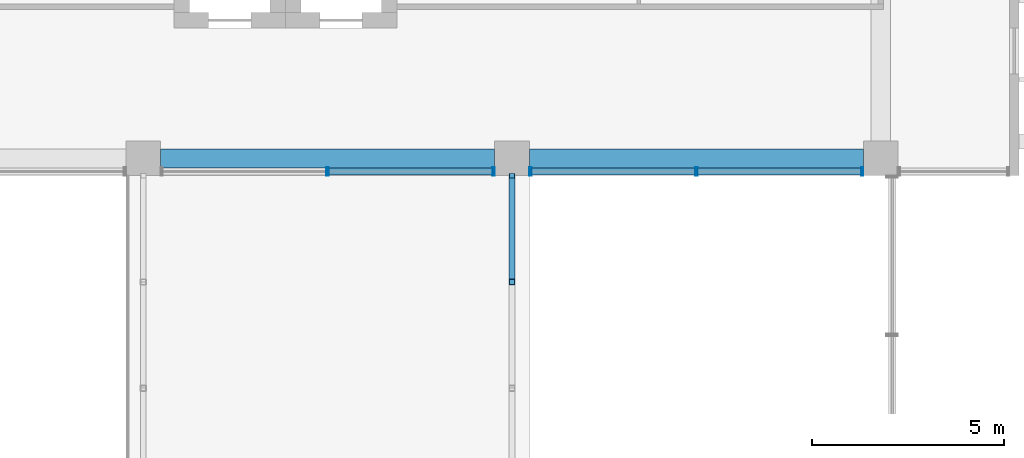
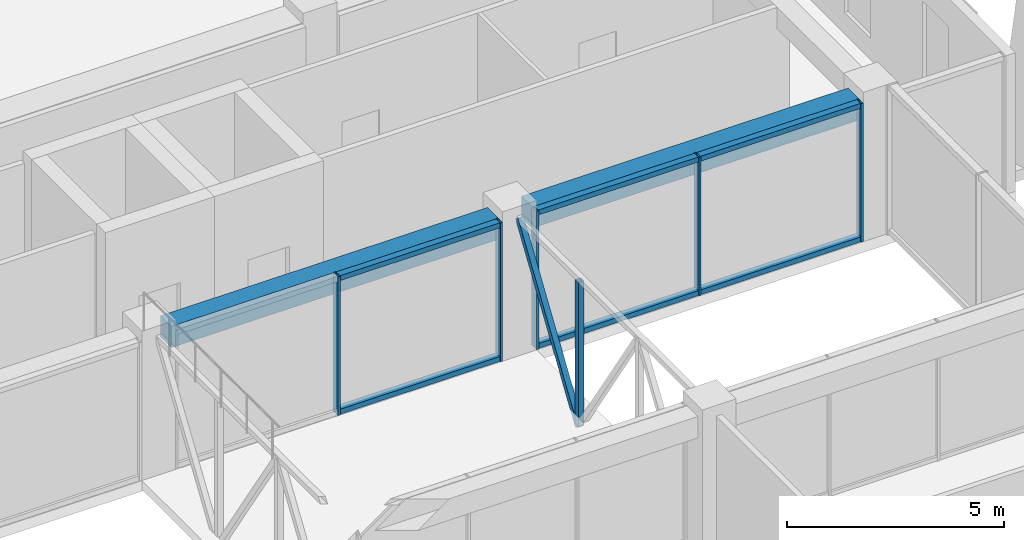
# One storey, part 19 of 38: 13 members, 2 beams, 2 elements without a shape of their own.
"""IFC4 building model written with IfcOpenShell, lengths in metres."""

from ifc_helpers import new_model, si_unit, direction, frame, origin, origin_2d, place, context, subcontext, project, spatial, rectangle, hollow_rectangle, extrude, material, layer, layer_set, material_profile, profile_set, type_object, element, aggregate, save


model = new_model("IFC4")

# Units and contexts
model_context = context("Model", 3, precision=1e-05, world=origin(), true_north=direction((0.0, 1.0)))
body_context = subcontext(model_context, "Body", "Model", "MODEL_VIEW")
ifc_project = project(units=[si_unit("LENGTHUNIT", "METRE"), si_unit("AREAUNIT", "SQUARE_METRE"), si_unit("VOLUMEUNIT", "CUBIC_METRE"), si_unit("PLANEANGLEUNIT", "RADIAN"), si_unit("MASSUNIT", "GRAM", prefix="KILO")], contexts=[model_context])

# Site, building, storey
site_placement = place(None, origin())
site = spatial("IfcSite", under=ifc_project, at=site_placement, CompositionType="ELEMENT")
building_placement = place(site_placement, origin())
building = spatial("IfcBuilding", under=site, at=building_placement, Name="Nzadi Deep Aquarium and Research Tower", CompositionType="ELEMENT")
storey_placement = place(building_placement, frame((0.0, 0.0, 65.5)))
storey = spatial("IfcBuildingStorey", under=building, at=storey_placement, Name="L13", CompositionType="ELEMENT", Elevation=65.5)

# Curtain wall, members
ifc_material_1 = material(Name="Aluminium unitised frame deep", Category="aluminium")
ifc_layer = layer(ifc_material_1, 0.22509765625)
ifc_layer_set = layer_set([ifc_layer], Name="Aluminium unitised frame deep")
curtain_wall_type = type_object("IfcCurtainWallType", Name="Curtain wall Unitised Deep 225", PredefinedType="NOTDEFINED", material=ifc_layer_set)
curtain_wall_1_placement = place(storey_placement, origin())
curtain_wall_1 = element("IfcCurtainWall", 1, at=curtain_wall_1_placement, inside=storey, type_object=curtain_wall_type, Name="Unitised curtain wall blade B south L13", PredefinedType="NOTDEFINED")
ifc_material_2 = material(Name="Aluminium unitised frame deep", Category="aluminium")
ifc_material_profile_1 = material_profile(ifc_material_2, hollow_rectangle(XDim=0.22509765625, YDim=0.06005859375, WallThickness=0.0048828125, at=origin_2d()))
ifc_profile_set_1 = profile_set([ifc_material_profile_1], Name="Aluminium unitised frame deep")
member_type_1 = type_object("IfcMemberType", Name="Mullion 60x225 Unitised Deep", PredefinedType="MULLION", material=ifc_profile_set_1)
member_1_placement = place(storey_placement, frame((33.60009765625, 27.262451171875, 0.0), z_axis=(0.0, 0.0, 1.0), x_axis=(0.0, 1.0, 0.0)))
member_1 = element("IfcMember", 2, at=member_1_placement, type_object=member_type_1, Name="CW167 mullion 2", PredefinedType="MULLION", context=body_context, shape_type="SweptSolid", body=[
    extrude(hollow_rectangle(XDim=0.22509765625, YDim=0.06005859375, WallThickness=0.0048828125, at=origin_2d()), origin(), (0.0, 0.0, 1.0), 3.89990234375),
])
member_2_placement = place(storey_placement, frame((37.919921875, 27.262451171875, 0.0), z_axis=(0.0, 0.0, 1.0), x_axis=(0.0, 1.0, 0.0)))
member_2 = element("IfcMember", 3, at=member_2_placement, type_object=member_type_1, Name="CW167 mullion 3", PredefinedType="MULLION", context=body_context, shape_type="SweptSolid", body=[
    extrude(hollow_rectangle(XDim=0.22509765625, YDim=0.06005859375, WallThickness=0.0048828125, at=origin_2d()), origin(), (0.0, 0.0, 1.0), 3.89990234375),
])

curtain_wall_2_placement = place(storey_placement, origin())
curtain_wall_2 = element("IfcCurtainWall", 4, at=curtain_wall_2_placement, inside=storey, type_object=curtain_wall_type, Name="Unitised curtain wall blade B south L13", PredefinedType="NOTDEFINED")
member_3_placement = place(storey_placement, frame((38.8798828125, 27.262451171875, 0.0), z_axis=(0.0, 0.0, 1.0), x_axis=(0.0, 1.0, 0.0)))
member_3 = element("IfcMember", 5, at=member_3_placement, type_object=member_type_1, Name="CW168 mullion 1", PredefinedType="MULLION", context=body_context, shape_type="SweptSolid", body=[
    extrude(hollow_rectangle(XDim=0.22509765625, YDim=0.06005859375, WallThickness=0.0048828125, at=origin_2d()), origin(), (0.0, 0.0, 1.0), 3.89990234375),
])
member_4_placement = place(storey_placement, frame((43.199951171875, 27.262451171875, 0.0), z_axis=(0.0, 0.0, 1.0), x_axis=(0.0, 1.0, 0.0)))
member_4 = element("IfcMember", 6, at=member_4_placement, type_object=member_type_1, Name="CW168 mullion 2", PredefinedType="MULLION", context=body_context, shape_type="SweptSolid", body=[
    extrude(hollow_rectangle(XDim=0.22509765625, YDim=0.06005859375, WallThickness=0.0048828125, at=origin_2d()), origin(), (0.0, 0.0, 1.0), 3.89990234375),
])
member_5_placement = place(storey_placement, frame((47.52001953125, 27.262451171875, 0.0), z_axis=(0.0, 0.0, 1.0), x_axis=(0.0, 1.0, 0.0)))
member_5 = element("IfcMember", 7, at=member_5_placement, type_object=member_type_1, Name="CW168 mullion 3", PredefinedType="MULLION", context=body_context, shape_type="SweptSolid", body=[
    extrude(hollow_rectangle(XDim=0.22509765625, YDim=0.06005859375, WallThickness=0.0048828125, at=origin_2d()), origin(), (0.0, 0.0, 1.0), 3.89990234375),
])

# Beams
ifc_material_3 = material(Name="Concrete C35/45", Category="concrete")
ifc_material_profile_2 = material_profile(ifc_material_3, rectangle(XDim=0.5, YDim=0.60009765625, at=origin_2d()))
ifc_profile_set_2 = profile_set([ifc_material_profile_2], Name="Concrete C35/45")
beam_type = type_object("IfcBeamType", Name="RC 500x600", PredefinedType="BEAM", material=ifc_profile_set_2)
for number, where, z_axis, x_axis, name in (
    (8, (29.25, 27.60009765625, 3.60009765625), (1.0, 0.0, 0.0), (0.0, 1.0, 0.0), "B-Z1-L13-L4-4"),
    (9, (38.85009765625, 27.60009765625, 3.60009765625), (1.0, 0.0, 0.0), (0.0, 1.0, 0.0), "B-Z1-L13-L4-5"),
):
    element("IfcBeam", number, at=place(storey_placement, frame(where, z_axis=z_axis, x_axis=x_axis)), inside=storey, type_object=beam_type, Name=name, PredefinedType="BEAM", context=body_context, shape_type="SweptSolid", body=[
        extrude(rectangle(XDim=0.5, YDim=0.60009765625, at=origin_2d()), origin(), (0.0, 0.0, 1.0), 8.699951171875),
    ])

# Members
ifc_material_4 = material(Name="Steel S355", Category="steel")
ifc_material_profile_3 = material_profile(ifc_material_4, hollow_rectangle(XDim=0.14990234375, YDim=0.14990234375, WallThickness=0.010009765625, at=origin_2d()))
ifc_profile_set_3 = profile_set([ifc_material_profile_3], Name="Steel S355")
member_type_2 = type_object("IfcMemberType", Name="RHS 150x150x10 brace", PredefinedType="BRACE", material=ifc_profile_set_3)
member_6_placement = place(storey_placement, frame((38.39990234375, 24.38330078125, -0.324951171875), z_axis=(0.0, 0.550098751185, 0.835099613187), x_axis=(-1.0, 0.0, 0.0)))
element("IfcMember", 10, at=member_6_placement, inside=storey, type_object=member_type_2, Name="MB-BR-L13-T2-D3", PredefinedType="BRACE", context=body_context, shape_type="SweptSolid", body=[
    extrude(hollow_rectangle(XDim=0.14990234375, YDim=0.14990234375, WallThickness=0.010009765625, at=origin_2d()), origin(), (0.0, 0.0, 1.0), 5.029296875),
])
ifc_material_5 = material(Name="Steel S355", Category="steel")
ifc_material_profile_4 = material_profile(ifc_material_5, hollow_rectangle(XDim=0.14990234375, YDim=0.14990234375, WallThickness=0.008056640625, at=origin_2d()))
ifc_profile_set_4 = profile_set([ifc_material_profile_4], Name="Steel S355")
member_type_3 = type_object("IfcMemberType", Name="RHS 150x150x8 post", PredefinedType="POST", material=ifc_profile_set_4)
member_7_placement = place(storey_placement, frame((38.39990234375, 24.38330078125, -0.25), z_axis=(0.0, 0.0, 1.0), x_axis=(1.0, 0.0, 0.0)))
element("IfcMember", 11, at=member_7_placement, inside=storey, type_object=member_type_3, Name="MB-BR-L13-T2-V2", PredefinedType="POST", context=body_context, shape_type="SweptSolid", body=[
    extrude(hollow_rectangle(XDim=0.14990234375, YDim=0.14990234375, WallThickness=0.008056640625, at=origin_2d()), origin(), (0.0, 0.0, 1.0), 4.050048828125),
])

# Member
ifc_material_6 = material(Name="Aluminium unitised frame deep", Category="aluminium")
ifc_material_profile_5 = material_profile(ifc_material_6, hollow_rectangle(XDim=0.179931640625, YDim=0.139892578125, WallThickness=0.0048828125, at=origin_2d()))
ifc_profile_set_5 = profile_set([ifc_material_profile_5], Name="Aluminium unitised frame deep")
member_type_4 = type_object("IfcMemberType", Name="Transom 140x180 Unitised Deep", PredefinedType="MULLION", material=ifc_profile_set_5)
member_8_placement = place(storey_placement, frame((33.6298828125, 27.262451171875, 0.070068359375), z_axis=(1.0, 0.0, 0.0), x_axis=(0.0, 1.0, 0.0)))
member_8 = element("IfcMember", 12, at=member_8_placement, type_object=member_type_4, Name="CW167 transom 2.1", PredefinedType="MULLION", context=body_context, shape_type="SweptSolid", body=[
    extrude(hollow_rectangle(XDim=0.179931640625, YDim=0.139892578125, WallThickness=0.0048828125, at=origin_2d()), origin(), (0.0, 0.0, 1.0), 4.260009765625),
])

member_9_placement = place(storey_placement, frame((33.6298828125, 27.262451171875, 3.830078125), z_axis=(1.0, 0.0, 0.0), x_axis=(0.0, 1.0, 0.0)))
member_9 = element("IfcMember", 13, at=member_9_placement, type_object=member_type_4, Name="CW167 transom 2.2", PredefinedType="MULLION", context=body_context, shape_type="SweptSolid", body=[
    extrude(hollow_rectangle(XDim=0.179931640625, YDim=0.139892578125, WallThickness=0.0048828125, at=origin_2d()), origin(), (0.0, 0.0, 1.0), 4.260009765625),
])

aggregate(curtain_wall_1, [member_1, member_2, member_8, member_9])

member_10_placement = place(storey_placement, frame((38.909912109375, 27.262451171875, 0.070068359375), z_axis=(1.0, 0.0, 0.0), x_axis=(0.0, 1.0, 0.0)))
member_10 = element("IfcMember", 14, at=member_10_placement, type_object=member_type_4, Name="CW168 transom 1.1", PredefinedType="MULLION", context=body_context, shape_type="SweptSolid", body=[
    extrude(hollow_rectangle(XDim=0.179931640625, YDim=0.139892578125, WallThickness=0.0048828125, at=origin_2d()), origin(), (0.0, 0.0, 1.0), 4.260009765625),
])

member_11_placement = place(storey_placement, frame((38.909912109375, 27.262451171875, 3.830078125), z_axis=(1.0, 0.0, 0.0), x_axis=(0.0, 1.0, 0.0)))
member_11 = element("IfcMember", 15, at=member_11_placement, type_object=member_type_4, Name="CW168 transom 1.2", PredefinedType="MULLION", context=body_context, shape_type="SweptSolid", body=[
    extrude(hollow_rectangle(XDim=0.179931640625, YDim=0.139892578125, WallThickness=0.0048828125, at=origin_2d()), origin(), (0.0, 0.0, 1.0), 4.260009765625),
])

member_12_placement = place(storey_placement, frame((43.22998046875, 27.262451171875, 0.070068359375), z_axis=(1.0, 0.0, 0.0), x_axis=(0.0, 1.0, 0.0)))
member_12 = element("IfcMember", 16, at=member_12_placement, type_object=member_type_4, Name="CW168 transom 2.1", PredefinedType="MULLION", context=body_context, shape_type="SweptSolid", body=[
    extrude(hollow_rectangle(XDim=0.179931640625, YDim=0.139892578125, WallThickness=0.0048828125, at=origin_2d()), origin(), (0.0, 0.0, 1.0), 4.260009765625),
])

member_13_placement = place(storey_placement, frame((43.22998046875, 27.262451171875, 3.830078125), z_axis=(1.0, 0.0, 0.0), x_axis=(0.0, 1.0, 0.0)))
member_13 = element("IfcMember", 17, at=member_13_placement, type_object=member_type_4, Name="CW168 transom 2.2", PredefinedType="MULLION", context=body_context, shape_type="SweptSolid", body=[
    extrude(hollow_rectangle(XDim=0.179931640625, YDim=0.139892578125, WallThickness=0.0048828125, at=origin_2d()), origin(), (0.0, 0.0, 1.0), 4.260009765625),
])

aggregate(curtain_wall_2, [member_3, member_4, member_5, member_10, member_11, member_12, member_13])

save(model, "model.ifc")
